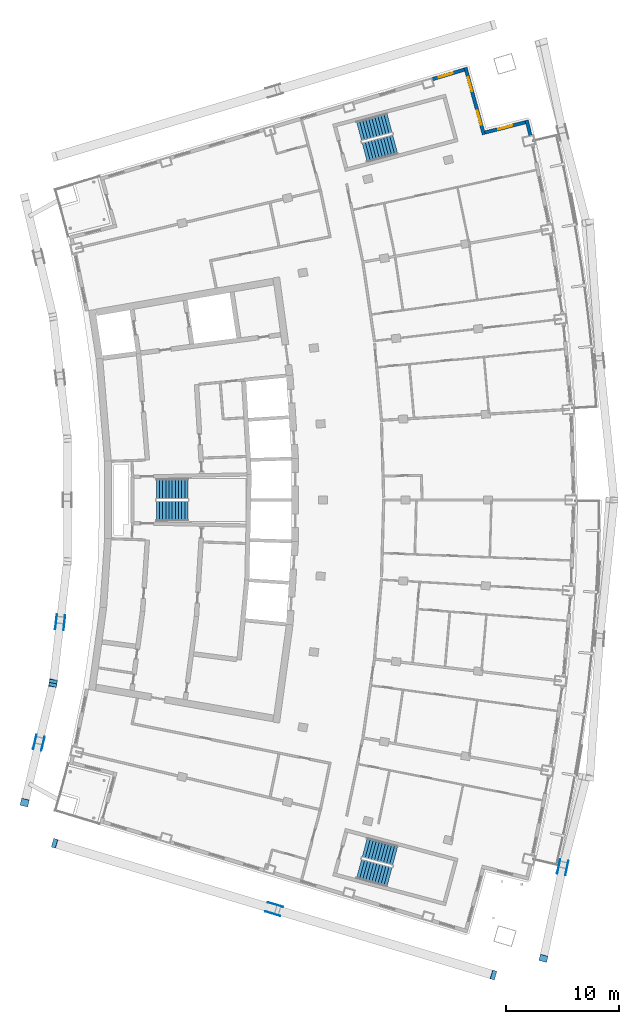
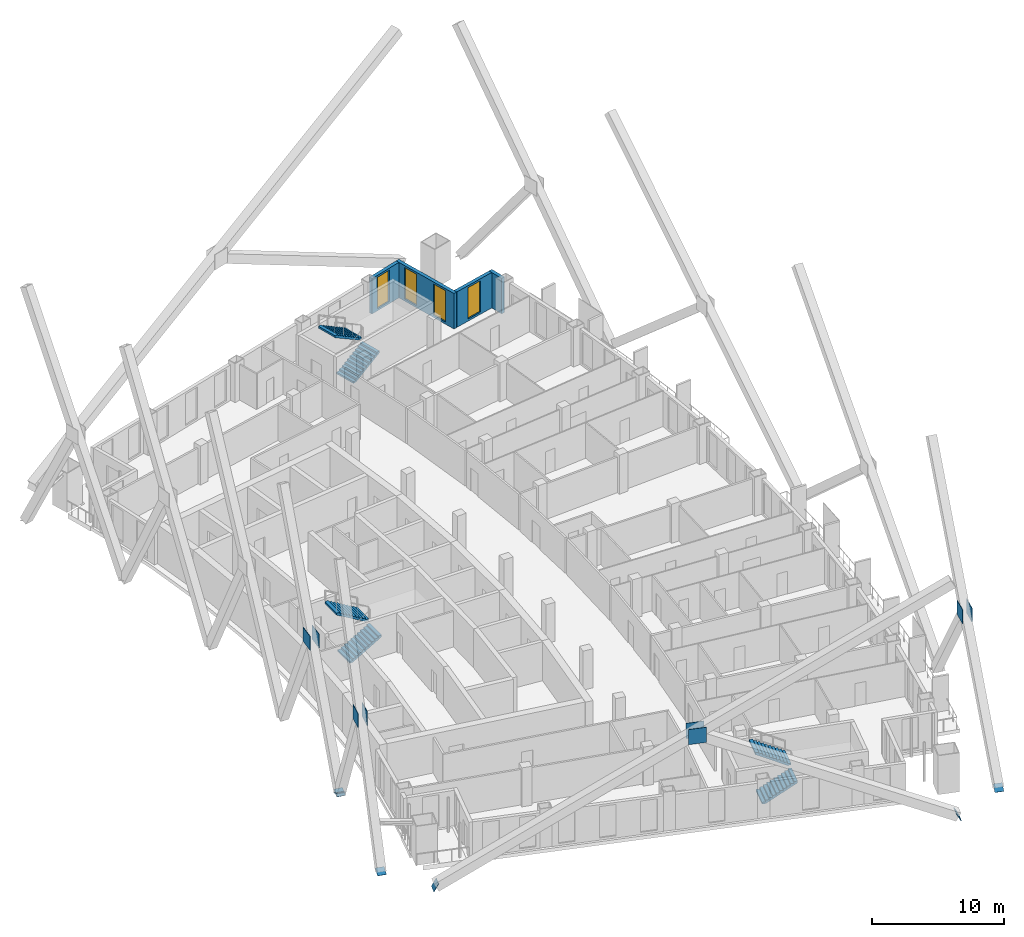
# One storey, part 16 of 20: 14 discrete accessories, 6 stair flights, 4 walls, 4 windows, 4 openings, 3 elements without a shape of their own.
"""IFC4 building model written with IfcOpenShell, lengths in metres."""

from ifc_helpers import new_model, si_unit, direction, frame, frame_2d, origin, origin_2d, place, context, subcontext, project, spatial, polyline, rectangle, outline, extrude, material, layer, layer_set, material_profile, profile_set, type_object, element, fill, aggregate, save


model = new_model("IFC4")

# Units and contexts
model_context = context("Model", 3, precision=1e-05, world=origin(), true_north=direction((0.0, 1.0)))
body_context = subcontext(model_context, "Body", "Model", "MODEL_VIEW")
ifc_project = project(units=[si_unit("LENGTHUNIT", "METRE"), si_unit("AREAUNIT", "SQUARE_METRE"), si_unit("VOLUMEUNIT", "CUBIC_METRE"), si_unit("PLANEANGLEUNIT", "RADIAN"), si_unit("MASSUNIT", "GRAM", prefix="KILO")], contexts=[model_context])

# Site, building, storey
site_placement = place(None, origin())
site = spatial("IfcSite", under=ifc_project, at=site_placement, CompositionType="ELEMENT")
building_placement = place(site_placement, origin())
building = spatial("IfcBuilding", under=site, at=building_placement, Name="Alderwake Tower", CompositionType="ELEMENT")
storey_placement = place(building_placement, frame((0.0, 0.0, 210.800048828125)))
storey = spatial("IfcBuildingStorey", under=building, at=storey_placement, Name="L52", CompositionType="ELEMENT", Elevation=210.800048828125)

# Wall
ifc_material_1 = material(Name="Precast concrete C50/60 spandrel panel", Category="concrete")
ifc_layer_1 = layer(ifc_material_1, 0.300048828125)
ifc_layer_set_1 = layer_set([ifc_layer_1], Name="External wall EW1 Precast concrete C50/60 spandrel")
wall_type_1 = type_object("IfcWallType", Name="External wall EW1 Precast concrete C50/60 spandrel", PredefinedType="SOLIDWALL", material=ifc_layer_set_1)
wall_1_placement = place(storey_placement, frame((54.206298828125, 93.33837890625, 0.0), z_axis=(0.0, 0.0, 1.0), x_axis=(-0.238212099684, 0.971213156606, 0.0)))
element("IfcWall", 1, at=wall_1_placement, inside=storey, type_object=wall_type_1, Name="External wall 20", PredefinedType="SOLIDWALL", context=body_context, shape_type="SweptSolid", body=[
    extrude(rectangle(XDim=1.382568359375, YDim=0.300048828125, at=frame_2d((0.69140625, 0.0))), origin(), (0.0, 0.0, 1.0), 3.280029296875),
])

# Wall, opening, window
ifc_material_2 = material(Name="Bronze metal cladding on lightweight framing")
ifc_layer_2 = layer(ifc_material_2, 0.300048828125)
ifc_layer_set_2 = layer_set([ifc_layer_2], Name="External wall EW2 bronze metal cladding")
wall_type_2 = type_object("IfcWallType", Name="External wall EW2 bronze metal cladding", PredefinedType="SOLIDWALL", material=ifc_layer_set_2)
wall_2_placement = place(storey_placement, frame((53.76708984375, 94.498779296875, 0.0), z_axis=(0.0, 0.0, 1.0), x_axis=(-0.96941119971, -0.245442306614, 0.0)))
wall_2 = element("IfcWall", 2, at=wall_2_placement, inside=storey, type_object=wall_type_2, Name="External wall 21", PredefinedType="SOLIDWALL", context=body_context, shape_type="SweptSolid", body=[
    extrude(rectangle(XDim=3.6943359375, YDim=0.300048828125, at=frame_2d((1.84716796875, 0.0))), origin(), (0.0, 0.0, 1.0), 3.280029296875),
])
opening_1_placement = place(wall_2_placement, frame((1.197021484375, 0.0, 0.199951171875)))
opening_1 = element("IfcOpeningElement", 3, at=opening_1_placement, cuts=wall_2, Name="Opening W1", PredefinedType="OPENING", context=body_context, shape_type="SweptSolid", body=[
    extrude(rectangle(XDim=1.300048828125, YDim=2.89990234375, at=frame_2d((0.64990234375, 1.449951171875))), frame((0.0, 0.159912109375, 0.0), z_axis=(0.0, -1.0, 0.0), x_axis=(1.0, 0.0, 0.0)), (0.0, 0.0, 1.0), 0.320068359375),
])
ifc_material_3 = material(Name="Bronze tinted glass in aluminium frame", Category="aluminium")
window_type = type_object("IfcWindowType", Name="Window W1 tall fixed and vent", PartitioningType="DOUBLE_PANEL_VERTICAL", PredefinedType="WINDOW", material=ifc_material_3)
window_1_placement = place(opening_1_placement, origin())
window_1 = element("IfcWindow", 4, at=window_1_placement, inside=storey, type_object=window_type, Name="Window W1 tall fixed and vent", OverallHeight=2.89990234375, OverallWidth=1.300048828125, PartitioningType="DOUBLE_PANEL_VERTICAL", PredefinedType="WINDOW", context=body_context, shape_type="SweptSolid", body=[
    extrude(rectangle(XDim=1.300048828125, YDim=2.89990234375, at=frame_2d((0.64990234375, 1.449951171875))), frame((0.0, 0.030029296875, 0.0), z_axis=(0.0, -1.0, 0.0), x_axis=(1.0, 0.0, 0.0)), (0.0, 0.0, 1.0), 0.06005859375),
])
fill(opening_1, window_1)

# Wall, openings, windows
wall_3_placement = place(storey_placement, frame((50.080078125, 93.41064453125, 0.0), z_axis=(0.0, 0.0, 1.0), x_axis=(-0.265050617045, 0.964234499696, 0.0)))
wall_3 = element("IfcWall", 5, at=wall_3_placement, inside=storey, type_object=wall_type_2, Name="External wall 22", PredefinedType="SOLIDWALL", context=body_context, shape_type="SweptSolid", body=[
    extrude(rectangle(XDim=6.1640625, YDim=0.300048828125, at=frame_2d((3.08203125, 0.0))), origin(), (0.0, 0.0, 1.0), 3.280029296875),
])
opening_2_placement = place(wall_3_placement, frame((0.89111328125, 0.0, 0.199951171875)))
opening_2 = element("IfcOpeningElement", 6, at=opening_2_placement, cuts=wall_3, Name="Opening W1", PredefinedType="OPENING", context=body_context, shape_type="SweptSolid", body=[
    extrude(rectangle(XDim=1.300048828125, YDim=2.89990234375, at=frame_2d((0.64990234375, 1.449951171875))), frame((0.0, 0.159912109375, 0.0), z_axis=(0.0, -1.0, 0.0), x_axis=(1.0, 0.0, 0.0)), (0.0, 0.0, 1.0), 0.320068359375),
])
opening_3_placement = place(wall_3_placement, frame((3.97314453125, 0.0, 0.199951171875)))
opening_3 = element("IfcOpeningElement", 7, at=opening_3_placement, cuts=wall_3, Name="Opening W1", PredefinedType="OPENING", context=body_context, shape_type="SweptSolid", body=[
    extrude(rectangle(XDim=1.300048828125, YDim=2.89990234375, at=frame_2d((0.64990234375, 1.449951171875))), frame((0.0, 0.159912109375, 0.0), z_axis=(0.0, -1.0, 0.0), x_axis=(1.0, 0.0, 0.0)), (0.0, 0.0, 1.0), 0.320068359375),
])
window_2_placement = place(opening_2_placement, origin())
window_2 = element("IfcWindow", 8, at=window_2_placement, inside=storey, type_object=window_type, Name="Window W1 tall fixed and vent", OverallHeight=2.89990234375, OverallWidth=1.300048828125, PartitioningType="DOUBLE_PANEL_VERTICAL", PredefinedType="WINDOW", context=body_context, shape_type="SweptSolid", body=[
    extrude(rectangle(XDim=1.300048828125, YDim=2.89990234375, at=frame_2d((0.64990234375, 1.449951171875))), frame((0.0, 0.030029296875, 0.0), z_axis=(0.0, -1.0, 0.0), x_axis=(1.0, 0.0, 0.0)), (0.0, 0.0, 1.0), 0.06005859375),
])
fill(opening_2, window_2)
window_3_placement = place(opening_3_placement, origin())
window_3 = element("IfcWindow", 9, at=window_3_placement, inside=storey, type_object=window_type, Name="Window W1 tall fixed and vent", OverallHeight=2.89990234375, OverallWidth=1.300048828125, PartitioningType="DOUBLE_PANEL_VERTICAL", PredefinedType="WINDOW", context=body_context, shape_type="SweptSolid", body=[
    extrude(rectangle(XDim=1.300048828125, YDim=2.89990234375, at=frame_2d((0.64990234375, 1.449951171875))), frame((0.0, 0.030029296875, 0.0), z_axis=(0.0, -1.0, 0.0), x_axis=(1.0, 0.0, 0.0)), (0.0, 0.0, 1.0), 0.06005859375),
])
fill(opening_3, window_3)

# Wall, opening, window
wall_4_placement = place(storey_placement, frame((48.34228515625, 99.16650390625, 0.0), z_axis=(0.0, 0.0, 1.0), x_axis=(-0.957764859373, -0.287552558935, 0.0)))
wall_4 = element("IfcWall", 10, at=wall_4_placement, inside=storey, type_object=wall_type_2, Name="External wall 23", PredefinedType="SOLIDWALL", context=body_context, shape_type="SweptSolid", body=[
    extrude(rectangle(XDim=2.95458984375, YDim=0.300048828125, at=frame_2d((1.477294921875, 0.0))), origin(), (0.0, 0.0, 1.0), 3.280029296875),
])
opening_4_placement = place(wall_4_placement, frame((1.065673828125, 0.0, 0.199951171875)))
opening_4 = element("IfcOpeningElement", 11, at=opening_4_placement, cuts=wall_4, Name="Opening W1", PredefinedType="OPENING", context=body_context, shape_type="SweptSolid", body=[
    extrude(rectangle(XDim=1.300048828125, YDim=2.89990234375, at=frame_2d((0.64990234375, 1.449951171875))), frame((0.0, 0.159912109375, 0.0), z_axis=(0.0, -1.0, 0.0), x_axis=(1.0, 0.0, 0.0)), (0.0, 0.0, 1.0), 0.320068359375),
])
window_4_placement = place(opening_4_placement, origin())
window_4 = element("IfcWindow", 12, at=window_4_placement, inside=storey, type_object=window_type, Name="Window W1 tall fixed and vent", OverallHeight=2.89990234375, OverallWidth=1.300048828125, PartitioningType="DOUBLE_PANEL_VERTICAL", PredefinedType="WINDOW", context=body_context, shape_type="SweptSolid", body=[
    extrude(rectangle(XDim=1.300048828125, YDim=2.89990234375, at=frame_2d((0.64990234375, 1.449951171875))), frame((0.0, 0.030029296875, 0.0), z_axis=(0.0, -1.0, 0.0), x_axis=(1.0, 0.0, 0.0)), (0.0, 0.0, 1.0), 0.06005859375),
])
fill(opening_4, window_4)

# Stair, stair flights
ifc_material_4 = material(Name="Concrete C40/50", Category="concrete")
stair_type = type_object("IfcStairType", Name="Core exit stair", PredefinedType="HALF_TURN_STAIR", material=ifc_material_4)
stair_1_placement = place(storey_placement, origin())
stair_1 = element("IfcStair", 13, at=stair_1_placement, inside=storey, type_object=stair_type, Name="L52 Exit Stair B", PredefinedType="HALF_TURN_STAIR")
ifc_material_5 = material(Name="Concrete C40/50", Category="concrete")
ifc_layer_3 = layer(ifc_material_5, 0.14990234375)
ifc_layer_set_3 = layer_set([ifc_layer_3], Name="Core stair flight")
stair_flight_type = type_object("IfcStairFlightType", Name="Core stair flight", PredefinedType="STRAIGHT", material=ifc_layer_set_3)
stair_flight_1_placement = place(storey_placement, frame((21.0400390625, 60.02490234375, 0.0), z_axis=(0.0, 0.0, 1.0), x_axis=(1.0, 0.0, 0.0)))
stair_flight_1 = element("IfcStairFlight", 14, at=stair_flight_1_placement, type_object=stair_flight_type, Name="ST-B flight 1", NumberOfRisers=11, NumberOfTreads=10, PredefinedType="STRAIGHT", RiserHeight=0.163636364, TreadLength=0.28, context=body_context, shape_type="SweptSolid", body=[
    extrude(outline(polyline([(0.0, 0.0), (0.0, 0.16357421875), (0.280029296875, 0.16357421875), (0.280029296875, 0.327392578125), (0.56005859375, 0.327392578125), (0.56005859375, 0.490966796875), (0.840087890625, 0.490966796875), (0.840087890625, 0.654541015625), (1.1201171875, 0.654541015625), (1.1201171875, 0.818115234375), (1.39990234375, 0.818115234375), (1.39990234375, 0.98193359375), (1.679931640625, 0.98193359375), (1.679931640625, 1.1455078125), (1.9599609375, 1.1455078125), (1.9599609375, 1.30908203125), (2.239990234375, 1.30908203125), (2.239990234375, 1.47265625), (2.52001953125, 1.47265625), (2.52001953125, 1.636474609375), (2.800048828125, 1.636474609375), (2.800048828125, 1.800048828125), (2.800048828125, 1.462646484375), (0.297119140625, 0.0), (0.0, 0.0)])), frame((0.0, 0.89990234375, 0.0), z_axis=(0.0, -1.0, 0.0), x_axis=(1.0, 0.0, 0.0)), (0.0, 0.0, 1.0), 1.800048828125),
])
stair_flight_2_placement = place(storey_placement, frame((23.840087890625, 61.97509765625, 1.800048828125), z_axis=(0.0, 0.0, 1.0), x_axis=(-1.0, 0.0, 0.0)))
stair_flight_2 = element("IfcStairFlight", 15, at=stair_flight_2_placement, type_object=stair_flight_type, Name="ST-B flight 2", NumberOfRisers=11, NumberOfTreads=10, PredefinedType="STRAIGHT", RiserHeight=0.163636364, TreadLength=0.28, context=body_context, shape_type="SweptSolid", body=[
    extrude(outline(polyline([(0.0, 0.0), (0.0, 0.16357421875), (0.280029296875, 0.16357421875), (0.280029296875, 0.327392578125), (0.56005859375, 0.327392578125), (0.56005859375, 0.490966796875), (0.840087890625, 0.490966796875), (0.840087890625, 0.654541015625), (1.1201171875, 0.654541015625), (1.1201171875, 0.818115234375), (1.39990234375, 0.818115234375), (1.39990234375, 0.98193359375), (1.679931640625, 0.98193359375), (1.679931640625, 1.1455078125), (1.9599609375, 1.1455078125), (1.9599609375, 1.30908203125), (2.239990234375, 1.30908203125), (2.239990234375, 1.47265625), (2.52001953125, 1.47265625), (2.52001953125, 1.636474609375), (2.800048828125, 1.636474609375), (2.800048828125, 1.800048828125), (2.800048828125, 1.462646484375), (0.297119140625, 0.0), (0.0, 0.0)])), frame((0.0, 0.89990234375, 0.0), z_axis=(0.0, -1.0, 0.0), x_axis=(1.0, 0.0, 0.0)), (0.0, 0.0, 1.0), 1.800048828125),
])
aggregate(stair_1, [stair_flight_1, stair_flight_2])

stair_2_placement = place(storey_placement, origin())
stair_2 = element("IfcStair", 16, at=stair_2_placement, inside=storey, type_object=stair_type, Name="L52 Exit Stair A", PredefinedType="HALF_TURN_STAIR")
stair_flight_3_placement = place(storey_placement, frame((39.512939453125, 91.823974609375, 0.0), z_axis=(0.0, 0.0, 1.0), x_axis=(0.966309627437, 0.257382407951, 0.0)))
stair_flight_3 = element("IfcStairFlight", 17, at=stair_flight_3_placement, type_object=stair_flight_type, Name="ST-A flight 1", NumberOfRisers=11, NumberOfTreads=10, PredefinedType="STRAIGHT", RiserHeight=0.163636364, TreadLength=0.28, context=body_context, shape_type="SweptSolid", body=[
    extrude(outline(polyline([(0.0, 0.0), (0.0, 0.16357421875), (0.280029296875, 0.16357421875), (0.280029296875, 0.327392578125), (0.56005859375, 0.327392578125), (0.56005859375, 0.490966796875), (0.840087890625, 0.490966796875), (0.840087890625, 0.654541015625), (1.1201171875, 0.654541015625), (1.1201171875, 0.818115234375), (1.39990234375, 0.818115234375), (1.39990234375, 0.98193359375), (1.679931640625, 0.98193359375), (1.679931640625, 1.1455078125), (1.9599609375, 1.1455078125), (1.9599609375, 1.30908203125), (2.239990234375, 1.30908203125), (2.239990234375, 1.47265625), (2.52001953125, 1.47265625), (2.52001953125, 1.636474609375), (2.800048828125, 1.636474609375), (2.800048828125, 1.800048828125), (2.800048828125, 1.462646484375), (0.297119140625, 0.0), (0.0, 0.0)])), frame((0.0, 0.89990234375, 0.0), z_axis=(0.0, -1.0, 0.0), x_axis=(1.0, 0.0, 0.0)), (0.0, 0.0, 1.0), 1.800048828125),
])
stair_flight_4_placement = place(storey_placement, frame((41.716796875, 94.428955078125, 1.800048828125), z_axis=(0.0, 0.0, 1.0), x_axis=(-0.966309627437, -0.257382407951, 0.0)))
stair_flight_4 = element("IfcStairFlight", 18, at=stair_flight_4_placement, type_object=stair_flight_type, Name="ST-A flight 2", NumberOfRisers=11, NumberOfTreads=10, PredefinedType="STRAIGHT", RiserHeight=0.163636364, TreadLength=0.28, context=body_context, shape_type="SweptSolid", body=[
    extrude(outline(polyline([(0.0, 0.0), (0.0, 0.16357421875), (0.280029296875, 0.16357421875), (0.280029296875, 0.327392578125), (0.56005859375, 0.327392578125), (0.56005859375, 0.490966796875), (0.840087890625, 0.490966796875), (0.840087890625, 0.654541015625), (1.1201171875, 0.654541015625), (1.1201171875, 0.818115234375), (1.39990234375, 0.818115234375), (1.39990234375, 0.98193359375), (1.679931640625, 0.98193359375), (1.679931640625, 1.1455078125), (1.9599609375, 1.1455078125), (1.9599609375, 1.30908203125), (2.239990234375, 1.30908203125), (2.239990234375, 1.47265625), (2.52001953125, 1.47265625), (2.52001953125, 1.636474609375), (2.800048828125, 1.636474609375), (2.800048828125, 1.800048828125), (2.800048828125, 1.462646484375), (0.297119140625, 0.0), (0.0, 0.0)])), frame((0.0, 0.89990234375, 0.0), z_axis=(0.0, -1.0, 0.0), x_axis=(1.0, 0.0, 0.0)), (0.0, 0.0, 1.0), 1.800048828125),
])
aggregate(stair_2, [stair_flight_3, stair_flight_4])

stair_3_placement = place(storey_placement, origin())
stair_3 = element("IfcStair", 19, at=stair_3_placement, inside=storey, type_object=stair_type, Name="L52 Exit Stair C", PredefinedType="HALF_TURN_STAIR")
stair_flight_5_placement = place(storey_placement, frame((39.010986328125, 28.291748046875, 0.0), z_axis=(0.0, 0.0, 1.0), x_axis=(0.966309627437, -0.257382407951, 0.0)))
stair_flight_5 = element("IfcStairFlight", 20, at=stair_flight_5_placement, type_object=stair_flight_type, Name="ST-C flight 1", NumberOfRisers=11, NumberOfTreads=10, PredefinedType="STRAIGHT", RiserHeight=0.163636364, TreadLength=0.28, context=body_context, shape_type="SweptSolid", body=[
    extrude(outline(polyline([(0.0, 0.0), (0.0, 0.16357421875), (0.280029296875, 0.16357421875), (0.280029296875, 0.327392578125), (0.56005859375, 0.327392578125), (0.56005859375, 0.490966796875), (0.840087890625, 0.490966796875), (0.840087890625, 0.654541015625), (1.1201171875, 0.654541015625), (1.1201171875, 0.818115234375), (1.39990234375, 0.818115234375), (1.39990234375, 0.98193359375), (1.679931640625, 0.98193359375), (1.679931640625, 1.1455078125), (1.9599609375, 1.1455078125), (1.9599609375, 1.30908203125), (2.239990234375, 1.30908203125), (2.239990234375, 1.47265625), (2.52001953125, 1.47265625), (2.52001953125, 1.636474609375), (2.800048828125, 1.636474609375), (2.800048828125, 1.800048828125), (2.800048828125, 1.462646484375), (0.297119140625, 0.0), (0.0, 0.0)])), frame((0.0, 0.89990234375, 0.0), z_axis=(0.0, -1.0, 0.0), x_axis=(1.0, 0.0, 0.0)), (0.0, 0.0, 1.0), 1.800048828125),
])
stair_flight_6_placement = place(storey_placement, frame((42.218505859375, 29.455322265625, 1.800048828125), z_axis=(0.0, 0.0, 1.0), x_axis=(-0.966309627437, 0.257382407951, 0.0)))
stair_flight_6 = element("IfcStairFlight", 21, at=stair_flight_6_placement, type_object=stair_flight_type, Name="ST-C flight 2", NumberOfRisers=11, NumberOfTreads=10, PredefinedType="STRAIGHT", RiserHeight=0.163636364, TreadLength=0.28, context=body_context, shape_type="SweptSolid", body=[
    extrude(outline(polyline([(0.0, 0.0), (0.0, 0.16357421875), (0.280029296875, 0.16357421875), (0.280029296875, 0.327392578125), (0.56005859375, 0.327392578125), (0.56005859375, 0.490966796875), (0.840087890625, 0.490966796875), (0.840087890625, 0.654541015625), (1.1201171875, 0.654541015625), (1.1201171875, 0.818115234375), (1.39990234375, 0.818115234375), (1.39990234375, 0.98193359375), (1.679931640625, 0.98193359375), (1.679931640625, 1.1455078125), (1.9599609375, 1.1455078125), (1.9599609375, 1.30908203125), (2.239990234375, 1.30908203125), (2.239990234375, 1.47265625), (2.52001953125, 1.47265625), (2.52001953125, 1.636474609375), (2.800048828125, 1.636474609375), (2.800048828125, 1.800048828125), (2.800048828125, 1.462646484375), (0.297119140625, 0.0), (0.0, 0.0)])), frame((0.0, 0.89990234375, 0.0), z_axis=(0.0, -1.0, 0.0), x_axis=(1.0, 0.0, 0.0)), (0.0, 0.0, 1.0), 1.800048828125),
])
aggregate(stair_3, [stair_flight_5, stair_flight_6])

# Discrete accessories
ifc_material_6 = material(Name="Steel ASTM A572 Grade 50", Category="steel")
ifc_material_profile_1 = material_profile(ifc_material_6, rectangle(XDim=0.699951171875, YDim=0.699951171875, at=origin_2d()), Name="BOX 700X700X45 cap")
ifc_profile_set_1 = profile_set([ifc_material_profile_1], Name="Steel ASTM A572 Grade 50")
discrete_accessory_type_1 = type_object("IfcDiscreteAccessoryType", Name="End cap plate BOX 700X700X45", PredefinedType="USERDEFINED", material=ifc_profile_set_1)
for number, where, z_axis, x_axis, name in (
    (22, (55.3662109375, 20.359130859375, 0.0), (-0.17127028554, -0.587212407567, 0.791105604639), (0.96, -0.28, 0.0), "End cap BRF4.1.2B2 N"),
    (23, (11.875, 44.755615234375, 0.0), (0.105495990526, 0.438214114494, 0.892658381376), (-0.972223637158, 0.234053838575, 0.0), "End cap BRR4.1.2A N"),
    (24, (9.359619140625, 34.171630859375, 0.0), (-0.105869651339, -0.43162242469, 0.895820126716), (0.971210844098, -0.238221527798, 0.0), "End cap BRR4.1.2B2 N"),
    (25, (11.875, 44.755615234375, 0.0), (-0.056826119483, -0.446490938798, 0.892981877596), (0.991997911724, -0.126254279674, 0.0), "End cap BRR4.1.4B2 N"),
):
    element("IfcDiscreteAccessory", number, at=place(storey_placement, frame(where, z_axis=z_axis, x_axis=x_axis)), inside=storey, type_object=discrete_accessory_type_1, Name=name, ObjectType="END CAP", PredefinedType="USERDEFINED", context=body_context, shape_type="SweptSolid", body=[
        extrude(rectangle(XDim=0.699951171875, YDim=0.699951171875, at=origin_2d()), origin(), (0.0, 0.0, 1.0), 0.030029296875),
    ])
ifc_material_7 = material(Name="Steel ASTM A572 Grade 50", Category="steel")
ifc_material_profile_2 = material_profile(ifc_material_7, rectangle(XDim=0.800048828125, YDim=0.800048828125, at=origin_2d()), Name="BOX 800X800X50 cap")
ifc_profile_set_2 = profile_set([ifc_material_profile_2], Name="Steel ASTM A572 Grade 50")
discrete_accessory_type_2 = type_object("IfcDiscreteAccessoryType", Name="End cap plate BOX 800X800X50", PredefinedType="USERDEFINED", material=ifc_profile_set_2)
for number, where, z_axis, x_axis, name in (
    (26, (50.91650390625, 18.876220703125, 0.0), (0.843440418178, -0.25952012867, 0.470380233215), (0.294085848838, 0.955779008722, 0.0), "End cap BRS4.1.0A N"),
    (27, (12.031005859375, 30.550537109375, 0.0), (-0.848421463916, 0.252894859437, 0.465000225416), (-0.285656661543, -0.958332025822, 0.0), "End cap BRS4.1.0B2 N"),
):
    element("IfcDiscreteAccessory", number, at=place(storey_placement, frame(where, z_axis=z_axis, x_axis=x_axis)), inside=storey, type_object=discrete_accessory_type_2, Name=name, ObjectType="END CAP", PredefinedType="USERDEFINED", context=body_context, shape_type="SweptSolid", body=[
        extrude(rectangle(XDim=0.800048828125, YDim=0.800048828125, at=origin_2d()), origin(), (0.0, 0.0, 1.0), 0.030029296875),
    ])
ifc_material_8 = material(Name="Steel ASTM A572 Grade 50", Category="steel")
ifc_material_profile_3 = material_profile(ifc_material_8, rectangle(XDim=1.300048828125, YDim=1.300048828125, at=origin_2d()), Name="gusset 1300X1300")
ifc_profile_set_3 = profile_set([ifc_material_profile_3], Name="Steel ASTM A572 Grade 50")
discrete_accessory_type_3 = type_object("IfcDiscreteAccessoryType", Name="Gusset plate 1300X1300X40", PredefinedType="USERDEFINED", material=ifc_profile_set_3)
for number, where, z_axis, x_axis, name in (
    (28, (57.422119140625, 28.360595703125, 10.800048828125), (0.978158850918, -0.20785875582, 0.0), (0.20785875582, 0.978158850918, 0.0), "Gusset plate BRF4.2.2B outer"),
    (29, (56.7373046875, 28.506103515625, 10.800048828125), (-0.978158850918, 0.20785875582, 0.0), (-0.20785875582, -0.978158850918, 0.0), "Gusset plate BRF4.2.2B inner"),
):
    element("IfcDiscreteAccessory", number, at=place(storey_placement, frame(where, z_axis=z_axis, x_axis=x_axis)), inside=storey, type_object=discrete_accessory_type_3, Name=name, ObjectType="GUSSET PLATE", PredefinedType="USERDEFINED", context=body_context, shape_type="SweptSolid", body=[
        extrude(rectangle(XDim=1.300048828125, YDim=1.300048828125, at=origin_2d()), origin(), (0.0, 0.0, 1.0), 0.0400390625),
    ])
discrete_accessory_1_placement = place(storey_placement, frame((10.957763671875, 39.3828125, 10.800048828125), z_axis=(0.972608962829, -0.232447425079, 0.0), x_axis=(0.232447425079, 0.972608962829, 0.0)))
element("IfcDiscreteAccessory", 30, at=discrete_accessory_1_placement, inside=storey, type_object=discrete_accessory_type_3, Name="Gusset plate BRR4.2.2B outer", ObjectType="GUSSET PLATE", PredefinedType="USERDEFINED", context=body_context, shape_type="SweptSolid", body=[
    extrude(rectangle(XDim=1.300048828125, YDim=1.300048828125, at=origin_2d()), origin(), (0.0, 0.0, 1.0), 0.039794921875),
])
for number, where, z_axis, x_axis, name in (
    (31, (10.27685546875, 39.544677734375, 10.800048828125), (-0.974288465505, 0.225304207648, 0.0), (-0.225304207648, -0.974288465505, 0.0), "Gusset plate BRR4.2.2B inner"),
    (32, (12.855712890625, 50.117431640625, 10.800048828125), (0.993274823804, -0.115780500934, 0.0), (0.115780500934, 0.993274823804, 0.0), "Gusset plate BRR4.2.4B outer"),
):
    element("IfcDiscreteAccessory", number, at=place(storey_placement, frame(where, z_axis=z_axis, x_axis=x_axis)), inside=storey, type_object=discrete_accessory_type_3, Name=name, ObjectType="GUSSET PLATE", PredefinedType="USERDEFINED", context=body_context, shape_type="SweptSolid", body=[
        extrude(rectangle(XDim=1.300048828125, YDim=1.300048828125, at=origin_2d()), origin(), (0.0, 0.0, 1.0), 0.0400390625),
    ])
discrete_accessory_2_placement = place(storey_placement, frame((12.160400390625, 50.198974609375, 10.800048828125), z_axis=(-0.993192389202, 0.116485527129, 0.0), x_axis=(-0.116485527129, -0.993192389202, 0.0)))
element("IfcDiscreteAccessory", 33, at=discrete_accessory_2_placement, inside=storey, type_object=discrete_accessory_type_3, Name="Gusset plate BRR4.2.4B inner", ObjectType="GUSSET PLATE", PredefinedType="USERDEFINED", context=body_context, shape_type="SweptSolid", body=[
    extrude(rectangle(XDim=1.300048828125, YDim=1.300048828125, at=origin_2d()), origin(), (0.0, 0.0, 1.0), 0.039794921875),
])
ifc_material_9 = material(Name="Steel ASTM A572 Grade 50", Category="steel")
ifc_material_profile_4 = material_profile(ifc_material_9, rectangle(XDim=1.39990234375, YDim=1.39990234375, at=origin_2d()), Name="gusset 1400X1400")
ifc_profile_set_4 = profile_set([ifc_material_profile_4], Name="Steel ASTM A572 Grade 50")
discrete_accessory_type_4 = type_object("IfcDiscreteAccessoryType", Name="Gusset plate 1400X1400X40", PredefinedType="USERDEFINED", material=ifc_profile_set_4)
discrete_accessory_3_placement = place(storey_placement, frame((31.358642578125, 24.330078125, 10.800048828125), z_axis=(-0.288473878152, -0.957487765783, 0.0), x_axis=(0.957487765783, -0.288473878152, 0.0)))
element("IfcDiscreteAccessory", 34, at=discrete_accessory_3_placement, inside=storey, type_object=discrete_accessory_type_4, Name="Gusset plate BRS4.2.0B outer", ObjectType="GUSSET PLATE", PredefinedType="USERDEFINED", context=body_context, shape_type="SweptSolid", body=[
    extrude(rectangle(XDim=1.39990234375, YDim=1.39990234375, at=origin_2d()), origin(), (0.0, 0.0, 1.0), 0.039794921875),
])
discrete_accessory_4_placement = place(storey_placement, frame((31.5888671875, 25.096435546875, 10.800048828125), z_axis=(0.286788031626, 0.95799406309, 0.0), x_axis=(-0.95799406309, 0.286788031626, 0.0)))
element("IfcDiscreteAccessory", 35, at=discrete_accessory_4_placement, inside=storey, type_object=discrete_accessory_type_4, Name="Gusset plate BRS4.2.0B inner", ObjectType="GUSSET PLATE", PredefinedType="USERDEFINED", context=body_context, shape_type="SweptSolid", body=[
    extrude(rectangle(XDim=1.39990234375, YDim=1.39990234375, at=origin_2d()), origin(), (0.0, 0.0, 1.0), 0.0400390625),
])

save(model, "model.ifc")
